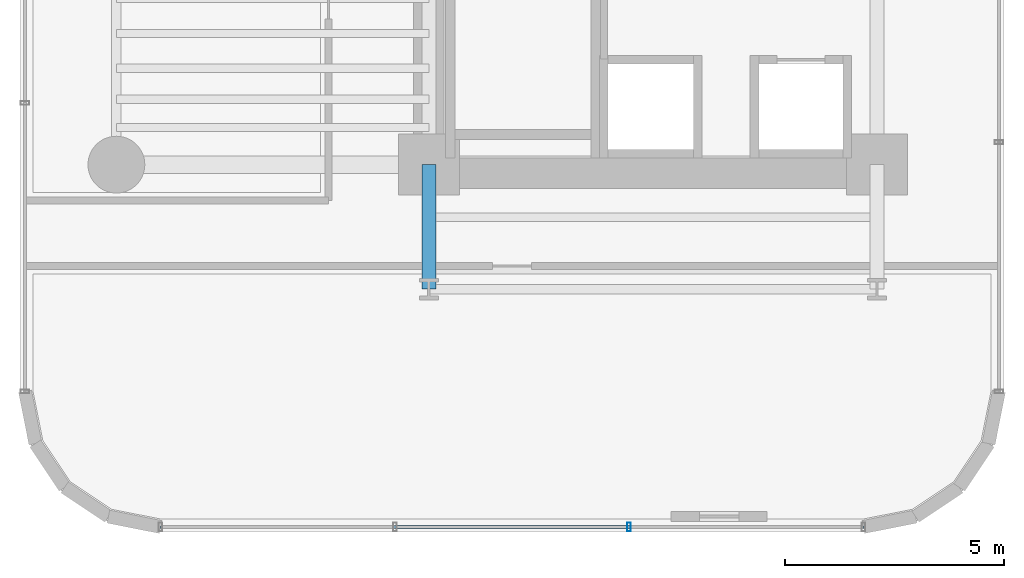
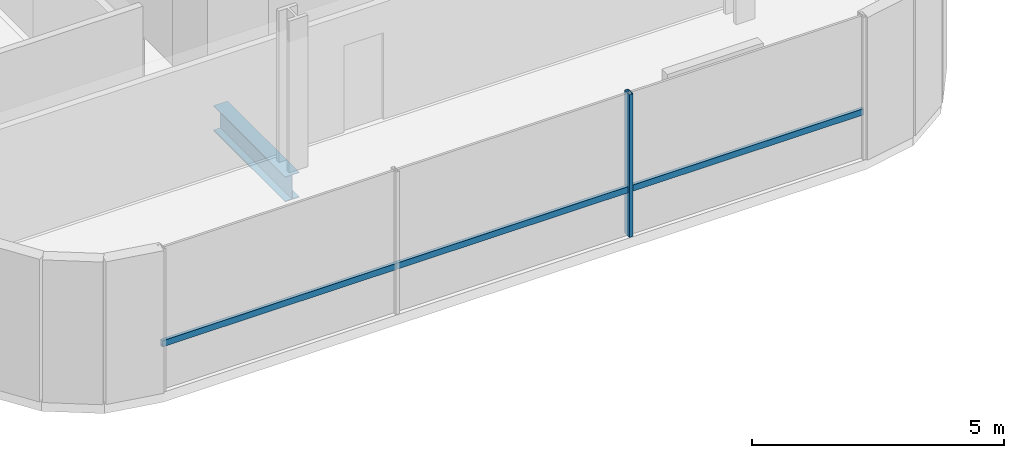
# One storey, part 3 of 40: 2 members, 1 beam, 1 element without a shape of its own.
"""IFC4 building model written with IfcOpenShell, lengths in metres."""

import ifcopenshell
import ifcopenshell.guid

model = None  # the IFC model being written
_history = None  # IfcOwnerHistory: only IFC2X3 demands one
_inside = {}  # id of a spatial element -> (the spatial element, [elements in it])
_under = {}  # id of a project, library or spatial element -> (it, [spatial elements below it])
_declared = {}  # id of a project -> (the project, [libraries it declares])
_typed = {}  # id of a type object -> (the type object, [elements of that type])
_made_of = {}  # id of a material, layer set ... -> (it, [elements and type objects made of it])


def new_model(schema):
    """Start an empty IFC model of exactly this schema.

    Asked for "IFC4X3", IfcOpenShell would pick the latest addendum, in which some entities
    have other attributes; the version numbers below select the first issue.
    IFC2X3 requires an IfcOwnerHistory on every rooted entity: one is made here for all.
    """
    global model, _history
    if schema == "IFC4X3":
        model = ifcopenshell.file(schema_version=(4, 3, 0, 0))
    else:
        model = ifcopenshell.file(schema=schema)
    _inside.clear()
    _under.clear()
    _declared.clear()
    _typed.clear()
    _made_of.clear()
    _history = None
    if model.schema == "IFC2X3":
        org = make("IfcOrganization", Name="unknown")
        user = make(
            "IfcPersonAndOrganization",
            ThePerson=make("IfcPerson", FamilyName="unknown"),
            TheOrganization=org,
        )
        app = make(
            "IfcApplication",
            ApplicationDeveloper=org,
            Version="unknown",
            ApplicationFullName="unknown",
            ApplicationIdentifier="unknown",
        )
        _history = make(
            "IfcOwnerHistory",
            OwningUser=user,
            OwningApplication=app,
            ChangeAction="ADDED",
            CreationDate=0,
        )
    return model


def make(cls, **values):
    """One entity of the class cls with the attributes given. An attribute that is None is left unset."""
    return model.create_entity(
        cls, **{name: value for name, value in values.items() if value is not None}
    )


def rooted(cls, **values):
    """An entity with a GlobalId (a new one), such as an element, a storey or a relation."""
    return make(cls, GlobalId=ifcopenshell.guid.new(), OwnerHistory=_history, **values)


def si_unit(unit_type, name, prefix=None):
    """IfcSIUnit, for example si_unit("LENGTHUNIT", "METRE", prefix="MILLI")."""
    return make("IfcSIUnit", UnitType=unit_type, Prefix=prefix, Name=name)


def assignment(units):
    """IfcUnitAssignment: the units of a project."""
    return None if units is None else make("IfcUnitAssignment", Units=units)


def point(xyz):
    """IfcCartesianPoint."""
    return None if xyz is None else make("IfcCartesianPoint", Coordinates=xyz)


def direction(xyz):
    """IfcDirection."""
    return None if xyz is None else make("IfcDirection", DirectionRatios=xyz)


def frame(location, z_axis=None, x_axis=None):
    """IfcAxis2Placement3D, a coordinate frame: its origin and axes. An axis left out is left unset."""
    return make(
        "IfcAxis2Placement3D",
        Location=point(location),
        Axis=direction(z_axis),
        RefDirection=direction(x_axis),
    )


def frame_2d(location, x_axis=None):
    """IfcAxis2Placement2D, a coordinate frame in the plane: its origin and x axis."""
    return make(
        "IfcAxis2Placement2D", Location=point(location), RefDirection=direction(x_axis)
    )


def origin():
    """The frame at (0, 0, 0) with its axes left unset."""
    return frame((0.0, 0.0, 0.0))


def origin_2d():
    """The frame at (0, 0) in the plane with its x axis left unset."""
    return frame_2d((0.0, 0.0))


def place(relative_to, where):
    """IfcLocalPlacement: puts the frame where relative to a parent placement (None: the world)."""
    return make(
        "IfcLocalPlacement", PlacementRelTo=relative_to, RelativePlacement=where
    )


def context(
    kind, dimensions, precision=None, world=None, true_north=None, identifier=None
):
    """IfcGeometricRepresentationContext, for example the 3D "Model" context."""
    return make(
        "IfcGeometricRepresentationContext",
        ContextIdentifier=identifier,
        ContextType=kind,
        CoordinateSpaceDimension=dimensions,
        Precision=precision,
        WorldCoordinateSystem=world,
        TrueNorth=true_north,
    )


def subcontext(parent, identifier, kind, view, scale=None):
    """IfcGeometricRepresentationSubContext, for example "Body" below "Model"."""
    return make(
        "IfcGeometricRepresentationSubContext",
        ContextIdentifier=identifier,
        ContextType=kind,
        ParentContext=parent,
        TargetScale=scale,
        TargetView=view,
    )


def project(units=None, contexts=None):
    """IfcProject with its units and contexts."""
    return rooted(
        "IfcProject",
        Name="project",
        RepresentationContexts=contexts,
        UnitsInContext=assignment(units),
    )


def spatial(cls, under=None, at=None, **own):
    """A site, building, storey or space (cls), placed at a placement, below another one or the project."""
    s = rooted(cls, ObjectPlacement=at, **own)
    if under is not None:
        _under.setdefault(under.id(), (under, []))[1].append(s)
    return s


def profile(cls, at=None, kind="AREA", **sizes):
    """A parametric profile (cls). Its sizes go by their IFC names, for example OverallWidth=200.0."""
    return make(cls, ProfileType=kind, Position=at, **sizes)


def hollow_rectangle(**sizes):
    """IfcRectangleHollowProfileDef."""
    return profile("IfcRectangleHollowProfileDef", **sizes)


def i_section(**sizes):
    """IfcIShapeProfileDef."""
    return profile("IfcIShapeProfileDef", **sizes)


def extrude(swept, where, along, depth):
    """IfcExtrudedAreaSolid: the profile swept, set in the frame where, extruded along a direction by depth."""
    return make(
        "IfcExtrudedAreaSolid",
        SweptArea=swept,
        Position=where,
        ExtrudedDirection=direction(along),
        Depth=depth,
    )


def shape(context_of_items, identifier, shape_type, items):
    """IfcShapeRepresentation: the items that make up one representation, for example the "Body"."""
    return make(
        "IfcShapeRepresentation",
        ContextOfItems=context_of_items,
        RepresentationIdentifier=identifier,
        RepresentationType=shape_type,
        Items=items,
    )


def source(mapping_origin, context_of_items, identifier, shape_type, items):
    """IfcRepresentationMap: a shape defined once, which mapped items show again and again."""
    return make(
        "IfcRepresentationMap",
        MappingOrigin=mapping_origin,
        MappedRepresentation=shape(context_of_items, identifier, shape_type, items),
    )


def transform(
    local_origin,
    x_axis=None,
    y_axis=None,
    z_axis=None,
    scale=None,
    scale2=None,
    scale3=None,
    uniform=True,
):
    """IfcCartesianTransformationOperator3D, or its non-uniform kind. x_axis, y_axis, z_axis: its Axis1, 2, 3."""
    if uniform:
        return make(
            "IfcCartesianTransformationOperator3D",
            Axis1=direction(x_axis),
            Axis2=direction(y_axis),
            LocalOrigin=point(local_origin),
            Scale=scale,
            Axis3=direction(z_axis),
        )
    return make(
        "IfcCartesianTransformationOperator3DnonUniform",
        Axis1=direction(x_axis),
        Axis2=direction(y_axis),
        LocalOrigin=point(local_origin),
        Scale=scale,
        Axis3=direction(z_axis),
        Scale2=scale2,
        Scale3=scale3,
    )


def mapped(mapping_source, mapping_target):
    """IfcMappedItem: shows the shape of a source again, moved by a transform."""
    return make(
        "IfcMappedItem", MappingSource=mapping_source, MappingTarget=mapping_target
    )


def material(Name=None, Category=None):
    """IfcMaterial."""
    return make("IfcMaterial", Name=Name, Category=Category)


def material_profile(
    of_material, cross_section, Name=None, Category=None, Priority=None
):
    """IfcMaterialProfile: a cross section and its material."""
    return make(
        "IfcMaterialProfile",
        Name=Name,
        Material=of_material,
        Profile=cross_section,
        Priority=Priority,
        Category=Category,
    )


def profile_set(profiles, Name=None, composite=None):
    """IfcMaterialProfileSet."""
    return make(
        "IfcMaterialProfileSet",
        Name=Name,
        MaterialProfiles=profiles,
        CompositeProfile=composite,
    )


def made_of(thing, what):
    """Note that an element or type object is made of a material, layer set ...; save() writes the relation."""
    if what is not None:
        _made_of.setdefault(what.id(), (what, []))[1].append(thing)
    return thing


def type_object(cls, material=None, **own):
    """A type object (cls), such as IfcWallType, which elements share."""
    return made_of(rooted(cls, **own), material)


def element(
    cls,
    number,
    at=None,
    inside=None,
    cuts=None,
    type_object=None,
    material=None,
    context=None,
    identifier="Body",
    shape_type=None,
    held_by="IfcProductDefinitionShape",
    body=None,
    shapes=None,
    **own,
):
    """One element of the class cls, such as IfcWall. Its Tag is "e" and its number.

    at: its placement. inside: the storey or other place that contains it. cuts: it is an
    opening in that element (IfcRelVoidsElement). A single representation is given by context,
    identifier, shape_type and body (its items); several are given by shapes. held_by: the class
    of the entity that holds the representations. save() writes the other relations.
    """
    e = rooted(cls, Tag="e%d" % number, ObjectPlacement=at, **own)
    if body is not None:
        shapes = [shape(context, identifier, shape_type, body)]
    if shapes is not None:
        e.Representation = make(held_by, Representations=shapes)
    if inside is not None:
        _inside.setdefault(inside.id(), (inside, []))[1].append(e)
    if cuts is not None:
        rooted(
            "IfcRelVoidsElement", RelatingBuildingElement=cuts, RelatedOpeningElement=e
        )
    if type_object is not None:
        _typed.setdefault(type_object.id(), (type_object, []))[1].append(e)
    return made_of(e, material)


def aggregate(whole, parts):
    """IfcRelAggregates: a whole, such as a stair, and the parts it consists of."""
    return rooted("IfcRelAggregates", RelatingObject=whole, RelatedObjects=parts)


def save(model, path):
    """Write the relations noted so far, then the file.

    IfcRelAggregates (storeys below a building ...), IfcRelContainedInSpatialStructure (elements
    in a storey), IfcRelDefinesByType, IfcRelAssociatesMaterial and IfcRelDeclares: one each for
    every whole, place, type object, material and project.
    """
    for whole, parts in _under.values():
        aggregate(whole, parts)
    for where, things in _inside.values():
        rooted(
            "IfcRelContainedInSpatialStructure",
            RelatedElements=things,
            RelatingStructure=where,
        )
    for kind, things in _typed.values():
        rooted("IfcRelDefinesByType", RelatedObjects=things, RelatingType=kind)
    for what, things in _made_of.values():
        rooted("IfcRelAssociatesMaterial", RelatedObjects=things, RelatingMaterial=what)
    for by, libraries in _declared.values():
        rooted("IfcRelDeclares", RelatingContext=by, RelatedDefinitions=libraries)
    model.write(path)


model = new_model("IFC4")

# Units and contexts
model_context = context("Model", 3, precision=1e-05, world=origin(), true_north=direction((0.0, 1.0)))
body_context = subcontext(model_context, "Body", "Model", "MODEL_VIEW")
ifc_project = project(units=[si_unit("LENGTHUNIT", "METRE"), si_unit("AREAUNIT", "SQUARE_METRE"), si_unit("VOLUMEUNIT", "CUBIC_METRE"), si_unit("PLANEANGLEUNIT", "RADIAN"), si_unit("MASSUNIT", "GRAM", prefix="KILO")], contexts=[model_context])

# Site, building, storey
site_placement = place(None, origin())
site = spatial("IfcSite", under=ifc_project, at=site_placement, CompositionType="ELEMENT")
building_placement = place(site_placement, origin())
building = spatial("IfcBuilding", under=site, at=building_placement, Name="Valdorenza Pilgrim Sanctuary Tower", CompositionType="ELEMENT")
storey_placement = place(building_placement, frame((0.0, 0.0, 48.199951171875)))
storey = spatial("IfcBuildingStorey", under=building, at=storey_placement, Name="L11", CompositionType="ELEMENT", Elevation=48.199951171875)

# Beam
ifc_material_1 = material(Name="Steel ASTM A992 Grade 50", Category="steel")
ifc_material_profile_1 = material_profile(ifc_material_1, i_section(OverallWidth=0.323974609375, OverallDepth=0.611083984375, WebThickness=0.0126953125, FlangeThickness=0.01904296875, at=origin_2d()), Name="W24X104")
ifc_profile_set_1 = profile_set([ifc_material_profile_1], Name="Steel ASTM A992 Grade 50")
beam_type = type_object("IfcBeamType", Name="STR-BM-GRD-W24B", PredefinedType="BEAM", material=ifc_profile_set_1)
shared_shape_1 = source(origin(), body_context, "Body", "SweptSolid", [
    extrude(i_section(OverallWidth=0.323974609375, OverallDepth=0.611083984375, WebThickness=0.0126953125, FlangeThickness=0.01904296875, at=origin_2d()), origin(), (0.0, 0.0, 1.0), 2.849853515625),
])
beam_placement = place(storey_placement, frame((-22.64990234375, -13.449951171875, -0.54541015625), z_axis=(0.0, 1.0, 0.0), x_axis=(-1.0, 0.0, 0.0)))
element("IfcBeam", 1, at=beam_placement, inside=storey, type_object=beam_type, Name="L11 Floor Girder WA-S-LW", PredefinedType="BEAM", context=body_context, shape_type="MappedRepresentation", body=[
    mapped(shared_shape_1, transform((0.0, 0.0, 0.0), x_axis=(1.0, 0.0, 0.0), y_axis=(0.0, 1.0, 0.0), z_axis=(0.0, 0.0, 1.0), scale=1.0)),
])

# Curtain wall, members
ifc_material_2 = material(Name="Curtain-wall IGU glazing", Category="glass")
curtain_wall_type = type_object("IfcCurtainWallType", Name="CW-SYS-02", PredefinedType="NOTDEFINED", material=ifc_material_2)
curtain_wall_placement = place(storey_placement, origin())
curtain_wall = element("IfcCurtainWall", 2, at=curtain_wall_placement, inside=storey, type_object=curtain_wall_type, Name="L11 Curtain Wall CW-L11-1-46", PredefinedType="NOTDEFINED")
ifc_material_3 = material(Name="Anodised aluminium AW-6060", Category="aluminium")
ifc_material_profile_2 = material_profile(ifc_material_3, hollow_rectangle(XDim=0.0849609375, YDim=0.199951171875, WallThickness=0.0048828125, at=origin_2d()), Name="ALU-M 200x85x5")
ifc_profile_set_2 = profile_set([ifc_material_profile_2], Name="Anodised aluminium AW-6060")
member_type_1 = type_object("IfcMemberType", Name="CW-MUL-02", PredefinedType="MULLION", material=ifc_profile_set_2)
shared_shape_2 = source(origin(), body_context, "Body", "SweptSolid", [
    extrude(hollow_rectangle(XDim=0.0849609375, YDim=0.199951171875, WallThickness=0.0048828125, at=origin_2d()), origin(), (0.0, 0.0, 1.0), 3.4599609375),
])
member_1_placement = place(storey_placement, frame((-18.0703125, -18.889892578125, 0.0), z_axis=(0.0, 0.0, 1.0), x_axis=(-1.0, 0.0, 0.0)))
member_1 = element("IfcMember", 3, at=member_1_placement, type_object=member_type_1, Name="CW-L11-1-46 Mullion 2", PredefinedType="MULLION", context=body_context, shape_type="MappedRepresentation", body=[
    mapped(shared_shape_2, transform((0.0, 0.0, 0.0), x_axis=(1.0, 0.0, 0.0), y_axis=(0.0, 1.0, 0.0), z_axis=(0.0, 0.0, 1.0), scale=1.0)),
])
ifc_material_profile_3 = material_profile(ifc_material_3, hollow_rectangle(XDim=0.074951171875, YDim=0.14990234375, WallThickness=0.00390625, at=origin_2d()), Name="ALU-T 150x75x4")
ifc_profile_set_3 = profile_set([ifc_material_profile_3], Name="Anodised aluminium AW-6060")
member_type_2 = type_object("IfcMemberType", Name="CW-TRN-02", PredefinedType="USERDEFINED", material=ifc_profile_set_3)
shared_shape_3 = source(origin(), body_context, "Body", "SweptSolid", [
    extrude(hollow_rectangle(XDim=0.074951171875, YDim=0.14990234375, WallThickness=0.00390625, at=origin_2d()), origin(), (0.0, 0.0, 1.0), 16.07861328125),
])
member_2_placement = place(storey_placement, frame((-12.710693359375, -18.889892578125, 1.1201171875), z_axis=(-1.0, 0.0, 0.0), x_axis=(0.0, -1.0, 0.0)))
member_2 = element("IfcMember", 4, at=member_2_placement, type_object=member_type_2, Name="CW-L11-1-46 Transom 1", ObjectType="TRANSOM", PredefinedType="USERDEFINED", context=body_context, shape_type="MappedRepresentation", body=[
    mapped(shared_shape_3, transform((0.0, 0.0, 0.0), x_axis=(1.0, 0.0, 0.0), y_axis=(0.0, 1.0, 0.0), z_axis=(0.0, 0.0, 1.0), scale=1.0)),
])
aggregate(curtain_wall, [member_1, member_2])

save(model, "model.ifc")
